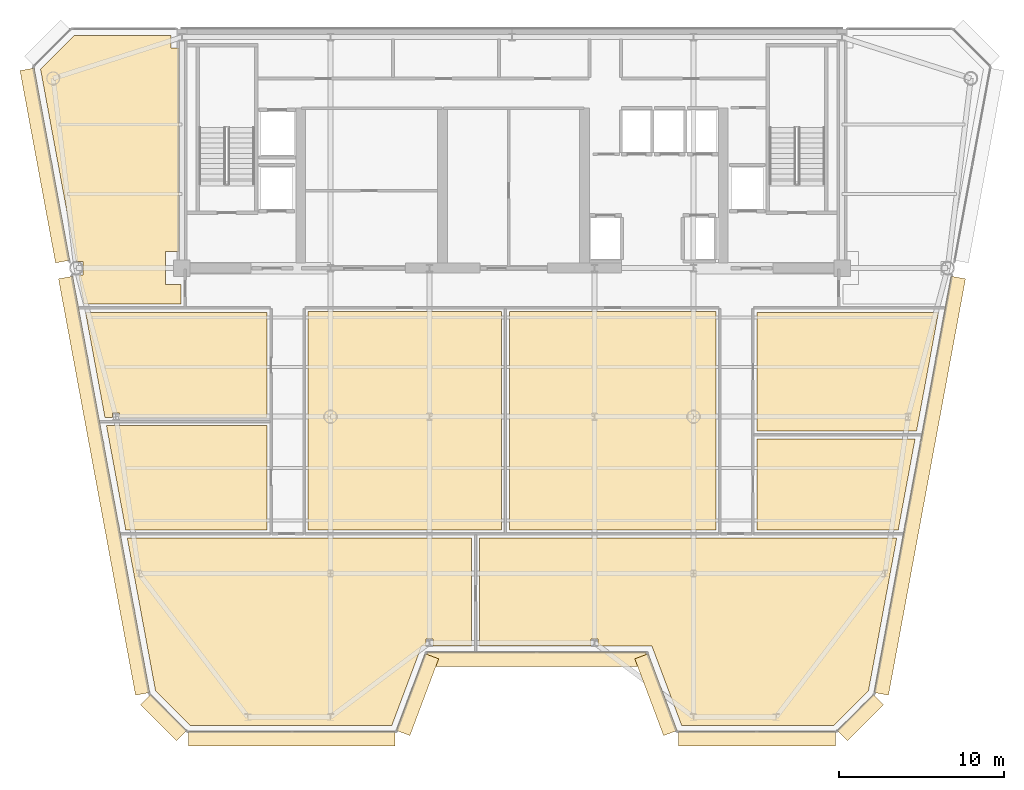
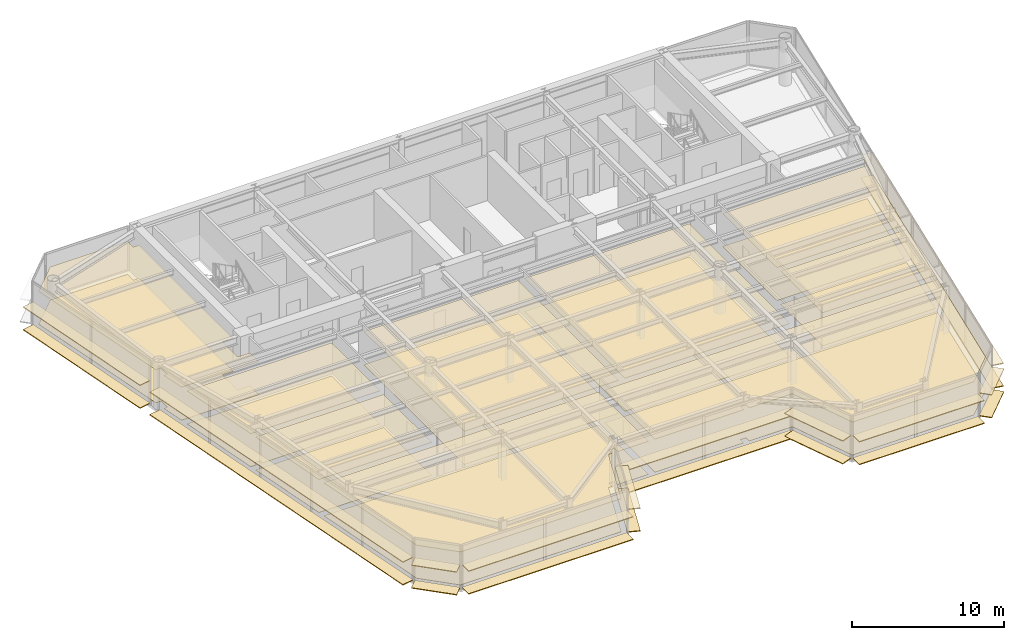
# One storey, part 13 of 16: 38 coverings.
"""IFC4 building model written with IfcOpenShell, lengths in metres."""

from ifc_helpers import new_model, si_unit, direction, frame, origin, origin_2d, place, context, subcontext, project, spatial, polyline, rectangle, outline, extrude, source, transform, mapped, material, layer, layer_set, type_object, element, save


model = new_model("IFC4")

# Units and contexts
model_context = context("Model", 3, precision=1e-05, world=origin(), true_north=direction((0.0, 1.0)))
body_context = subcontext(model_context, "Body", "Model", "MODEL_VIEW")
ifc_project = project(units=[si_unit("LENGTHUNIT", "METRE"), si_unit("AREAUNIT", "SQUARE_METRE"), si_unit("VOLUMEUNIT", "CUBIC_METRE"), si_unit("PLANEANGLEUNIT", "RADIAN"), si_unit("MASSUNIT", "GRAM", prefix="KILO")], contexts=[model_context])

# Site, building, storey
site_placement = place(None, origin())
site = spatial("IfcSite", under=ifc_project, at=site_placement, CompositionType="ELEMENT")
building_placement = place(site_placement, origin())
building = spatial("IfcBuilding", under=site, at=building_placement, Name="Vaeldorn Concourse Tower", CompositionType="ELEMENT")
storey_placement = place(building_placement, frame((0.0, 0.0, 210.800048828125)))
storey = spatial("IfcBuildingStorey", under=building, at=storey_placement, Name="L54", CompositionType="ELEMENT", Elevation=210.800048828125)

# Coverings
ifc_material_1 = material(Name="Acoustic Mineral Fibre Board", Category="gypsum")
ifc_layer_1 = layer(ifc_material_1, 0.0400390625)
ifc_layer_set_1 = layer_set([ifc_layer_1], Name="Acoustic Mineral Fibre Board")
covering_type_1 = type_object("IfcCoveringType", Name="COV-CEIL-ACOUSTIC", PredefinedType="CEILING", material=ifc_layer_set_1)
covering_1_placement = place(storey_placement, frame((0.0, 0.0, 2.64990234375)))
element("IfcCovering", 1, at=covering_1_placement, inside=storey, type_object=covering_type_1, Name="Suspended Acoustic Ceiling L54-3", PredefinedType="CEILING", context=body_context, shape_type="SweptSolid", body=[
    extrude(outline(polyline([(7.4658203125, 50.60009765625), (13.340087890625, 50.60009765625), (13.340087890625, 49.840087890625), (13.820068359375, 49.840087890625), (13.820068359375, 37.5), (13.0, 37.5), (13.0, 35.5), (13.93994140625, 35.5), (13.93994140625, 34.340087890625), (8.06298828125, 34.340087890625), (7.73876953125, 36.093505859375), (8.006591796875, 36.093505859375), (8.006591796875, 36.906494140625), (7.58837890625, 36.906494140625), (5.431640625, 48.56591796875), (7.4658203125, 50.60009765625)])), origin(), (0.0, 0.0, 1.0), 0.0400390625),
])
covering_2_placement = place(storey_placement, frame((0.0, 0.0, 2.64990234375)))
element("IfcCovering", 2, at=covering_2_placement, inside=storey, type_object=covering_type_1, Name="Suspended Acoustic Ceiling L54-5", PredefinedType="CEILING", context=body_context, shape_type="SweptSolid", body=[
    extrude(outline(polyline([(19.159912109375, 26.9599609375), (19.159912109375, 20.639892578125), (10.59716796875, 20.639892578125), (9.427978515625, 26.9599609375), (19.159912109375, 26.9599609375)])), origin(), (0.0, 0.0, 1.0), 0.0400390625),
])
covering_3_placement = place(storey_placement, frame((0.0, 0.0, 2.64990234375)))
element("IfcCovering", 3, at=covering_3_placement, inside=storey, type_object=covering_type_1, Name="Suspended Acoustic Ceiling L54-6", PredefinedType="CEILING", context=body_context, shape_type="SweptSolid", body=[
    extrude(outline(polyline([(19.159912109375, 33.800048828125), (19.159912109375, 27.43994140625), (10.2060546875, 27.43994140625), (10.2060546875, 27.717529296875), (9.7939453125, 27.717529296875), (9.7939453125, 27.43994140625), (9.33935546875, 27.43994140625), (8.162841796875, 33.800048828125), (19.159912109375, 33.800048828125)])), origin(), (0.0, 0.0, 1.0), 0.0400390625),
])
covering_4_placement = place(storey_placement, frame((0.0, 0.0, 2.64990234375)))
element("IfcCovering", 4, at=covering_4_placement, inside=storey, type_object=covering_type_1, Name="Suspended Acoustic Ceiling L54-7", PredefinedType="CEILING", context=body_context, shape_type="SweptSolid", body=[
    extrude(outline(polyline([(48.840087890625, 20.639892578125), (48.840087890625, 26.159912109375), (58.423828125, 26.159912109375), (57.40283203125, 20.639892578125), (48.840087890625, 20.639892578125)])), origin(), (0.0, 0.0, 1.0), 0.0400390625),
])
covering_5_placement = place(storey_placement, frame((0.0, 0.0, 2.64990234375)))
element("IfcCovering", 5, at=covering_5_placement, inside=storey, type_object=covering_type_1, Name="Suspended Acoustic Ceiling L54-8", PredefinedType="CEILING", context=body_context, shape_type="SweptSolid", body=[
    extrude(outline(polyline([(48.840087890625, 26.639892578125), (48.840087890625, 33.800048828125), (59.837158203125, 33.800048828125), (58.5126953125, 26.639892578125), (48.840087890625, 26.639892578125)])), origin(), (0.0, 0.0, 1.0), 0.0400390625),
])
covering_6_placement = place(storey_placement, frame((0.0, 0.0, 2.64990234375)))
element("IfcCovering", 6, at=covering_6_placement, inside=storey, type_object=covering_type_1, Name="Suspended Acoustic Ceiling L54-9", PredefinedType="CEILING", context=body_context, shape_type="SweptSolid", body=[
    extrude(outline(polyline([(21.639892578125, 33.860107421875), (33.360107421875, 33.860107421875), (33.360107421875, 20.639892578125), (21.639892578125, 20.639892578125), (21.639892578125, 33.860107421875)])), origin(), (0.0, 0.0, 1.0), 0.0400390625),
])
covering_7_placement = place(storey_placement, frame((0.0, 0.0, 2.64990234375)))
element("IfcCovering", 7, at=covering_7_placement, inside=storey, type_object=covering_type_1, Name="Suspended Acoustic Ceiling L54-10", PredefinedType="CEILING", context=body_context, shape_type="SweptSolid", body=[
    extrude(outline(polyline([(33.840087890625, 33.860107421875), (46.360107421875, 33.860107421875), (46.360107421875, 20.639892578125), (33.840087890625, 20.639892578125), (33.840087890625, 33.860107421875)])), origin(), (0.0, 0.0, 1.0), 0.0400390625),
])
covering_8_placement = place(storey_placement, frame((0.0, 0.0, 2.64990234375)))
element("IfcCovering", 8, at=covering_8_placement, inside=storey, type_object=covering_type_1, Name="Suspended Acoustic Ceiling L54-11", PredefinedType="CEILING", context=body_context, shape_type="SweptSolid", body=[
    extrude(outline(polyline([(31.56005859375, 20.159912109375), (31.56005859375, 13.60009765625), (29.2060546875, 13.60009765625), (29.2060546875, 14.017578125), (28.7939453125, 14.017578125), (28.7939453125, 13.60009765625), (28.522705078125, 13.60009765625), (26.722900390625, 8.800048828125), (14.49462890625, 8.800048828125), (12.399658203125, 10.89501953125), (11.6796875, 14.787109375), (11.589111328125, 15.276611328125), (11.20751953125, 17.340087890625), (11.20751953125, 17.340087890625), (10.685791015625, 20.159912109375), (31.56005859375, 20.159912109375)])), origin(), (0.0, 0.0, 1.0), 0.0400390625),
])
covering_9_placement = place(storey_placement, frame((0.0, 0.0, 2.64990234375)))
element("IfcCovering", 9, at=covering_9_placement, inside=storey, type_object=covering_type_1, Name="Suspended Acoustic Ceiling L54-12", PredefinedType="CEILING", context=body_context, shape_type="SweptSolid", body=[
    extrude(outline(polyline([(32.0400390625, 20.159912109375), (57.314208984375, 20.159912109375), (56.973876953125, 18.321044921875), (56.410888671875, 15.276611328125), (55.600341796875, 10.89501953125), (53.50537109375, 8.800048828125), (44.277099609375, 8.800048828125), (42.477294921875, 13.60009765625), (39.2060546875, 13.60009765625), (39.2060546875, 14.017578125), (38.7939453125, 14.017578125), (38.7939453125, 13.60009765625), (32.0400390625, 13.60009765625), (32.0400390625, 20.159912109375)])), origin(), (0.0, 0.0, 1.0), 0.0400390625),
])
ifc_material_2 = material(Name="Honed Limestone Terrazzo Flooring", Category="masonry")
ifc_layer_2 = layer(ifc_material_2, 0.0400390625)
ifc_layer_set_2 = layer_set([ifc_layer_2], Name="Honed Limestone Terrazzo Flooring")
covering_type_2 = type_object("IfcCoveringType", Name="COV-FLOOR-STONE", PredefinedType="FLOORING", material=ifc_layer_set_2)
covering_10_placement = place(storey_placement, origin())
element("IfcCovering", 10, at=covering_10_placement, inside=storey, type_object=covering_type_2, Name="Floor Finish Covering L54-3", PredefinedType="FLOORING", context=body_context, shape_type="SweptSolid", body=[
    extrude(outline(polyline([(7.4658203125, 50.60009765625), (13.340087890625, 50.60009765625), (13.340087890625, 49.840087890625), (13.820068359375, 49.840087890625), (13.820068359375, 37.5), (13.0, 37.5), (13.0, 35.5), (13.93994140625, 35.5), (13.93994140625, 34.340087890625), (8.06298828125, 34.340087890625), (7.73876953125, 36.093505859375), (8.006591796875, 36.093505859375), (8.006591796875, 36.906494140625), (7.58837890625, 36.906494140625), (5.431640625, 48.56591796875), (7.4658203125, 50.60009765625)])), origin(), (0.0, 0.0, 1.0), 0.030029296875),
])
covering_11_placement = place(storey_placement, origin())
element("IfcCovering", 11, at=covering_11_placement, inside=storey, type_object=covering_type_2, Name="Floor Finish Covering L54-5", PredefinedType="FLOORING", context=body_context, shape_type="SweptSolid", body=[
    extrude(outline(polyline([(19.159912109375, 26.9599609375), (19.159912109375, 20.639892578125), (10.59716796875, 20.639892578125), (9.427978515625, 26.9599609375), (19.159912109375, 26.9599609375)])), origin(), (0.0, 0.0, 1.0), 0.030029296875),
])
covering_12_placement = place(storey_placement, origin())
element("IfcCovering", 12, at=covering_12_placement, inside=storey, type_object=covering_type_2, Name="Floor Finish Covering L54-6", PredefinedType="FLOORING", context=body_context, shape_type="SweptSolid", body=[
    extrude(outline(polyline([(19.159912109375, 33.800048828125), (19.159912109375, 27.43994140625), (10.2060546875, 27.43994140625), (10.2060546875, 27.717529296875), (9.7939453125, 27.717529296875), (9.7939453125, 27.43994140625), (9.33935546875, 27.43994140625), (8.162841796875, 33.800048828125), (19.159912109375, 33.800048828125)])), origin(), (0.0, 0.0, 1.0), 0.030029296875),
])
covering_13_placement = place(storey_placement, origin())
element("IfcCovering", 13, at=covering_13_placement, inside=storey, type_object=covering_type_2, Name="Floor Finish Covering L54-7", PredefinedType="FLOORING", context=body_context, shape_type="SweptSolid", body=[
    extrude(outline(polyline([(48.840087890625, 20.639892578125), (48.840087890625, 26.159912109375), (58.423828125, 26.159912109375), (57.40283203125, 20.639892578125), (48.840087890625, 20.639892578125)])), origin(), (0.0, 0.0, 1.0), 0.030029296875),
])
covering_14_placement = place(storey_placement, origin())
element("IfcCovering", 14, at=covering_14_placement, inside=storey, type_object=covering_type_2, Name="Floor Finish Covering L54-8", PredefinedType="FLOORING", context=body_context, shape_type="SweptSolid", body=[
    extrude(outline(polyline([(48.840087890625, 26.639892578125), (48.840087890625, 33.800048828125), (59.837158203125, 33.800048828125), (58.5126953125, 26.639892578125), (48.840087890625, 26.639892578125)])), origin(), (0.0, 0.0, 1.0), 0.030029296875),
])
covering_15_placement = place(storey_placement, origin())
element("IfcCovering", 15, at=covering_15_placement, inside=storey, type_object=covering_type_2, Name="Floor Finish Covering L54-9", PredefinedType="FLOORING", context=body_context, shape_type="SweptSolid", body=[
    extrude(outline(polyline([(21.639892578125, 33.860107421875), (33.360107421875, 33.860107421875), (33.360107421875, 20.639892578125), (21.639892578125, 20.639892578125), (21.639892578125, 33.860107421875)])), origin(), (0.0, 0.0, 1.0), 0.030029296875),
])
covering_16_placement = place(storey_placement, origin())
element("IfcCovering", 16, at=covering_16_placement, inside=storey, type_object=covering_type_2, Name="Floor Finish Covering L54-10", PredefinedType="FLOORING", context=body_context, shape_type="SweptSolid", body=[
    extrude(outline(polyline([(33.840087890625, 33.860107421875), (46.360107421875, 33.860107421875), (46.360107421875, 20.639892578125), (33.840087890625, 20.639892578125), (33.840087890625, 33.860107421875)])), origin(), (0.0, 0.0, 1.0), 0.030029296875),
])
covering_17_placement = place(storey_placement, origin())
element("IfcCovering", 17, at=covering_17_placement, inside=storey, type_object=covering_type_2, Name="Floor Finish Covering L54-11", PredefinedType="FLOORING", context=body_context, shape_type="SweptSolid", body=[
    extrude(outline(polyline([(31.56005859375, 20.159912109375), (31.56005859375, 13.60009765625), (29.2060546875, 13.60009765625), (29.2060546875, 14.017578125), (28.7939453125, 14.017578125), (28.7939453125, 13.60009765625), (28.522705078125, 13.60009765625), (26.722900390625, 8.800048828125), (14.49462890625, 8.800048828125), (12.399658203125, 10.89501953125), (11.6796875, 14.787109375), (11.589111328125, 15.276611328125), (11.20751953125, 17.340087890625), (11.20751953125, 17.340087890625), (10.685791015625, 20.159912109375), (31.56005859375, 20.159912109375)])), origin(), (0.0, 0.0, 1.0), 0.030029296875),
])
covering_18_placement = place(storey_placement, origin())
element("IfcCovering", 18, at=covering_18_placement, inside=storey, type_object=covering_type_2, Name="Floor Finish Covering L54-12", PredefinedType="FLOORING", context=body_context, shape_type="SweptSolid", body=[
    extrude(outline(polyline([(32.0400390625, 20.159912109375), (57.314208984375, 20.159912109375), (56.973876953125, 18.321044921875), (56.410888671875, 15.276611328125), (55.600341796875, 10.89501953125), (53.50537109375, 8.800048828125), (44.277099609375, 8.800048828125), (42.477294921875, 13.60009765625), (39.2060546875, 13.60009765625), (39.2060546875, 14.017578125), (38.7939453125, 14.017578125), (38.7939453125, 13.60009765625), (32.0400390625, 13.60009765625), (32.0400390625, 20.159912109375)])), origin(), (0.0, 0.0, 1.0), 0.030029296875),
])
ifc_material_3 = material(Name="Anodised Bronze Aluminium", Category="aluminium")
ifc_layer_3 = layer(ifc_material_3, 0.06494140625)
ifc_layer_set_3 = layer_set([ifc_layer_3], Name="Anodised Bronze Aluminium")
covering_type_3 = type_object("IfcCoveringType", Name="SD-BRONZE-SUNSHADE", PredefinedType="USERDEFINED", material=ifc_layer_set_3)
shared_shape_1 = source(origin(), body_context, "Body", "SweptSolid", [
    extrude(rectangle(XDim=4.96630859375, YDim=0.8798828125, at=origin_2d()), origin(), (0.0, 0.0, 1.0), 0.06494140625),
])
for number, where, z_axis, x_axis, name in (
    (19, (28.2744140625, 10.65966796875, 0.04736328125), (0.0, 0.0, 1.0), (0.351122702609, 0.936329454686, 0.0), "Horizontal Bronze Sunshade L54-E02.1.1"),
    (20, (28.2744140625, 10.65966796875, 1.867431640625), (0.0, 0.0, 1.0), (0.351122702609, 0.936329454686, 0.0), "Horizontal Bronze Sunshade L54-E02.1.2"),
    (21, (42.7255859375, 10.65966796875, 0.04736328125), (0.0, 0.0, 1.0), (0.351122702609, -0.936329454686, 0.0), "Horizontal Bronze Sunshade L54-E04.1.1"),
    (22, (42.7255859375, 10.65966796875, 1.867431640625), (0.0, 0.0, 1.0), (0.351122702609, -0.936329454686, 0.0), "Horizontal Bronze Sunshade L54-E04.1.2"),
):
    element("IfcCovering", number, at=place(storey_placement, frame(where, z_axis=z_axis, x_axis=x_axis)), inside=storey, type_object=covering_type_3, Name=name, ObjectType="SUNSHADE", PredefinedType="USERDEFINED", context=body_context, shape_type="MappedRepresentation", body=[
        mapped(shared_shape_1, transform((0.0, 0.0, 0.0), scale=1.0)),
    ])
shared_shape_2 = source(origin(), body_context, "Body", "SweptSolid", [
    extrude(rectangle(XDim=13.239990234375, YDim=0.8798828125, at=origin_2d()), origin(), (0.0, 0.0, 1.0), 0.06494140625),
])
for number, where, z_axis, x_axis, name in (
    (23, (35.5, 12.800048828125, 0.04736328125), (0.0, 0.0, 1.0), (1.0, 0.0, 0.0), "Horizontal Bronze Sunshade L54-E03.1.1"),
    (24, (35.5, 12.800048828125, 1.867431640625), (0.0, 0.0, 1.0), (1.0, 0.0, 0.0), "Horizontal Bronze Sunshade L54-E03.1.2"),
):
    element("IfcCovering", number, at=place(storey_placement, frame(where, z_axis=z_axis, x_axis=x_axis)), inside=storey, type_object=covering_type_3, Name=name, ObjectType="SUNSHADE", PredefinedType="USERDEFINED", context=body_context, shape_type="MappedRepresentation", body=[
        mapped(shared_shape_2, transform((0.0, 0.0, 0.0), scale=1.0)),
    ])
shared_shape_3 = source(origin(), body_context, "Body", "SweptSolid", [
    extrude(rectangle(XDim=3.0927734375, YDim=0.8798828125, at=origin_2d()), origin(), (0.0, 0.0, 1.0), 0.06494140625),
])
for number, where, z_axis, x_axis, name in (
    (25, (55.103759765625, 9.26708984375, 0.04736328125), (0.0, 0.0, 1.0), (0.707106781187, 0.707106781187, 0.0), "Horizontal Bronze Sunshade L54-E06.1.1"),
    (26, (55.103759765625, 9.26708984375, 1.867431640625), (0.0, 0.0, 1.0), (0.707106781187, 0.707106781187, 0.0), "Horizontal Bronze Sunshade L54-E06.1.2"),
    (27, (12.896240234375, 9.26708984375, 0.04736328125), (0.0, 0.0, 1.0), (0.707106781187, -0.707106781187, 0.0), "Horizontal Bronze Sunshade L54-E12.1.1"),
    (28, (12.896240234375, 9.26708984375, 1.867431640625), (0.0, 0.0, 1.0), (0.707106781187, -0.707106781187, 0.0), "Horizontal Bronze Sunshade L54-E12.1.2"),
):
    element("IfcCovering", number, at=place(storey_placement, frame(where, z_axis=z_axis, x_axis=x_axis)), inside=storey, type_object=covering_type_3, Name=name, ObjectType="SUNSHADE", PredefinedType="USERDEFINED", context=body_context, shape_type="MappedRepresentation", body=[
        mapped(shared_shape_3, transform((0.0, 0.0, 0.0), scale=1.0)),
    ])
shared_shape_4 = source(origin(), body_context, "Body", "SweptSolid", [
    extrude(rectangle(XDim=25.654052734375, YDim=0.8798828125, at=origin_2d()), origin(), (0.0, 0.0, 1.0), 0.06494140625),
])
for number, where, z_axis, x_axis, name in (
    (29, (58.7119140625, 23.319091796875, 0.04736328125), (0.0, 0.0, 1.0), (0.181892293686, 0.983318459858, 0.0), "Horizontal Bronze Sunshade L54-E07.1.1"),
    (30, (58.7119140625, 23.319091796875, 1.867431640625), (0.0, 0.0, 1.0), (0.181892293686, 0.983318459858, 0.0), "Horizontal Bronze Sunshade L54-E07.1.2"),
    (31, (9.2880859375, 23.319091796875, 0.04736328125), (0.0, 0.0, 1.0), (0.181892293686, -0.983318459858, 0.0), "Horizontal Bronze Sunshade L54-E11.2.1"),
    (32, (9.2880859375, 23.319091796875, 1.867431640625), (0.0, 0.0, 1.0), (0.181892293686, -0.983318459858, 0.0), "Horizontal Bronze Sunshade L54-E11.2.2"),
):
    element("IfcCovering", number, at=place(storey_placement, frame(where, z_axis=z_axis, x_axis=x_axis)), inside=storey, type_object=covering_type_3, Name=name, ObjectType="SUNSHADE", PredefinedType="USERDEFINED", context=body_context, shape_type="MappedRepresentation", body=[
        mapped(shared_shape_4, transform((0.0, 0.0, 0.0), scale=1.0)),
    ])
shared_shape_5 = source(origin(), body_context, "Body", "SweptSolid", [
    extrude(rectangle(XDim=11.844482421875, YDim=0.8798828125, at=origin_2d()), origin(), (0.0, 0.0, 1.0), 0.06494140625),
])
for number, where, z_axis, x_axis, name in (
    (33, (5.698486328125, 42.72509765625, 0.04736328125), (0.0, 0.0, 1.0), (0.181892293686, -0.983318459858, 0.0), "Horizontal Bronze Sunshade L54-E11.1.1"),
    (34, (5.698486328125, 42.72509765625, 1.867431640625), (0.0, 0.0, 1.0), (0.181892293686, -0.983318459858, 0.0), "Horizontal Bronze Sunshade L54-E11.1.2"),
):
    element("IfcCovering", number, at=place(storey_placement, frame(where, z_axis=z_axis, x_axis=x_axis)), inside=storey, type_object=covering_type_3, Name=name, ObjectType="SUNSHADE", PredefinedType="USERDEFINED", context=body_context, shape_type="MappedRepresentation", body=[
        mapped(shared_shape_5, transform((0.0, 0.0, 0.0), scale=1.0)),
    ])
shared_shape_6 = source(origin(), body_context, "Body", "SweptSolid", [
    extrude(rectangle(XDim=12.510986328125, YDim=0.8798828125, at=origin_2d()), origin(), (0.0, 0.0, 1.0), 0.06494140625),
])
for number, where, z_axis, x_axis, name in (
    (35, (20.66455078125, 8.0, 0.04736328125), (0.0, 0.0, 1.0), (1.0, 0.0, 0.0), "Horizontal Bronze Sunshade L54-E01.1.1"),
    (36, (20.66455078125, 8.0, 1.867431640625), (0.0, 0.0, 1.0), (1.0, 0.0, 0.0), "Horizontal Bronze Sunshade L54-E01.1.2"),
):
    element("IfcCovering", number, at=place(storey_placement, frame(where, z_axis=z_axis, x_axis=x_axis)), inside=storey, type_object=covering_type_3, Name=name, ObjectType="SUNSHADE", PredefinedType="USERDEFINED", context=body_context, shape_type="MappedRepresentation", body=[
        mapped(shared_shape_6, transform((0.0, 0.0, 0.0), scale=1.0)),
    ])
shared_shape_7 = source(origin(), body_context, "Body", "SweptSolid", [
    extrude(rectangle(XDim=9.510986328125, YDim=0.8798828125, at=origin_2d()), origin(), (0.0, 0.0, 1.0), 0.06494140625),
])
for number, where, z_axis, x_axis, name in (
    (37, (48.83544921875, 8.0, 0.04736328125), (0.0, 0.0, 1.0), (1.0, 0.0, 0.0), "Horizontal Bronze Sunshade L54-E05.1.1"),
    (38, (48.83544921875, 8.0, 1.867431640625), (0.0, 0.0, 1.0), (1.0, 0.0, 0.0), "Horizontal Bronze Sunshade L54-E05.1.2"),
):
    element("IfcCovering", number, at=place(storey_placement, frame(where, z_axis=z_axis, x_axis=x_axis)), inside=storey, type_object=covering_type_3, Name=name, ObjectType="SUNSHADE", PredefinedType="USERDEFINED", context=body_context, shape_type="MappedRepresentation", body=[
        mapped(shared_shape_7, transform((0.0, 0.0, 0.0), scale=1.0)),
    ])

save(model, "model.ifc")
